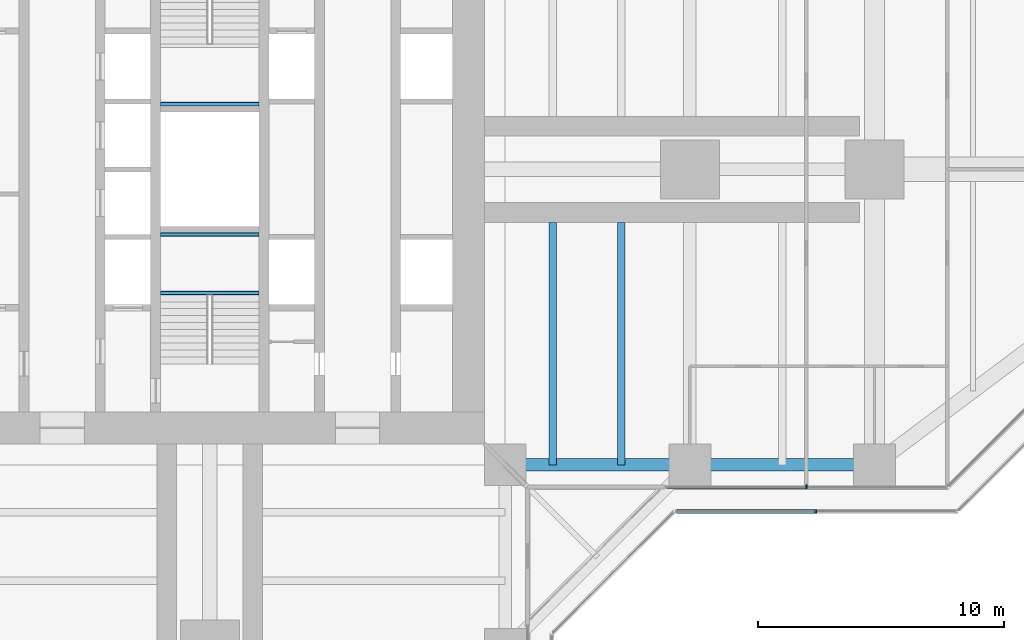
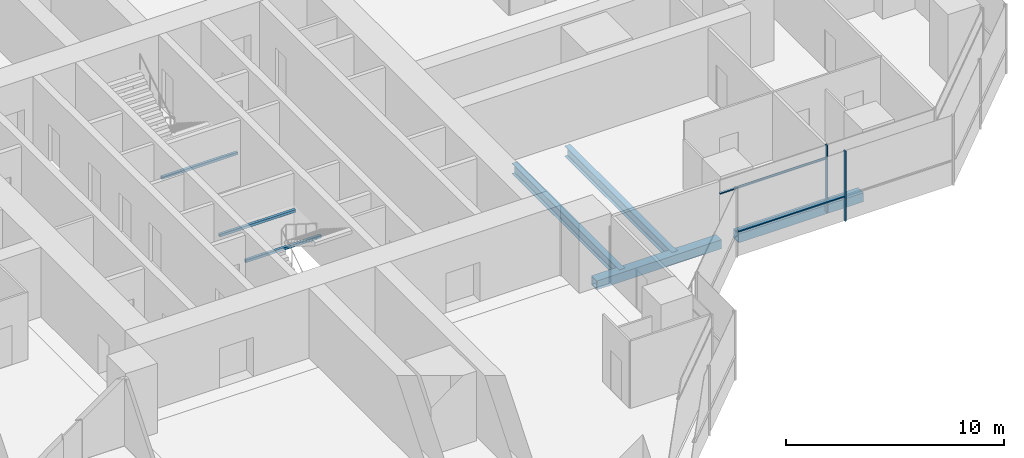
# One storey, part 5 of 20: 7 beams, 4 members, 2 elements without a shape of their own.
"""IFC4 building model written with IfcOpenShell, lengths in metres."""

from ifc_helpers import new_model, si_unit, direction, frame, origin, origin_2d, place, context, subcontext, project, spatial, rectangle, hollow_rectangle, i_section, extrude, material, material_profile, profile_set, type_object, element, aggregate, save


model = new_model("IFC4")

# Units and contexts
model_context = context("Model", 3, precision=1e-05, world=origin(), true_north=direction((0.0, 1.0)))
body_context = subcontext(model_context, "Body", "Model", "MODEL_VIEW")
ifc_project = project(units=[si_unit("LENGTHUNIT", "METRE"), si_unit("AREAUNIT", "SQUARE_METRE"), si_unit("VOLUMEUNIT", "CUBIC_METRE"), si_unit("PLANEANGLEUNIT", "RADIAN"), si_unit("MASSUNIT", "GRAM", prefix="KILO")], contexts=[model_context])

# Site, building, storey
site_placement = place(None, origin())
site = spatial("IfcSite", under=ifc_project, at=site_placement, CompositionType="ELEMENT")
building_placement = place(site_placement, origin())
building = spatial("IfcBuilding", under=site, at=building_placement, Name="Mizan Broadcast Tower", CompositionType="ELEMENT")
storey_placement = place(building_placement, frame((0.0, 0.0, 135.89990234375)))
storey = spatial("IfcBuildingStorey", under=building, at=storey_placement, Name="L30", CompositionType="ELEMENT", Elevation=135.89990234375)

# Beams
ifc_material_1 = material(Name="Steel S355", Category="steel")
ifc_material_profile_1 = material_profile(ifc_material_1, hollow_rectangle(XDim=0.5, YDim=0.5, WallThickness=0.030029296875, at=origin_2d()), Name="BOX 500x500x30")
ifc_profile_set_1 = profile_set([ifc_material_profile_1], Name="Steel S355")
beam_type_1 = type_object("IfcBeamType", Name="EDGE BEAM BOX 500x500x30", PredefinedType="SPANDREL", material=ifc_profile_set_1)
for number, where, z_axis, x_axis, name in (
    (1, (12.449951171875, -12.0, -0.3798828125), (1.0, 0.0, 0.0), (0.0, 1.0, 0.0), "Edge beam BOX 500x500x30 L30 east arm"),
    (2, (19.949951171875, -12.0, -0.3798828125), (1.0, 0.0, 0.0), (0.0, 1.0, 0.0), "Edge beam BOX 500x500x30 L30 east arm"),
):
    element("IfcBeam", number, at=place(storey_placement, frame(where, z_axis=z_axis, x_axis=x_axis)), inside=storey, type_object=beam_type_1, Name=name, PredefinedType="SPANDREL", context=body_context, shape_type="SweptSolid", body=[
        extrude(hollow_rectangle(XDim=0.5, YDim=0.5, WallThickness=0.030029296875, at=origin_2d()), origin(), (0.0, 0.0, 1.0), 6.60009765625),
    ])

# Curtain wall, members
ifc_material_2 = material(Name="Aluminium framed glazing", Category="aluminium")
curtain_wall_type_1 = type_object("IfcCurtainWallType", Name="INNER SKIN MID ZONE", PredefinedType="USERDEFINED", material=ifc_material_2)
curtain_wall_1_placement = place(storey_placement, origin())
curtain_wall_1 = element("IfcCurtainWall", 3, at=curtain_wall_1_placement, inside=storey, type_object=curtain_wall_type_1, Name="Inner skin mid zone L30 E side", ObjectType="INNER SKIN MID ZONE", PredefinedType="USERDEFINED")
ifc_material_3 = material(Name="Aluminium, pale anodised", Category="aluminium")
ifc_material_profile_2 = material_profile(ifc_material_3, rectangle(XDim=0.159912109375, YDim=0.06005859375, at=origin_2d()), Name="MULLION 160x60")
ifc_profile_set_2 = profile_set([ifc_material_profile_2], Name="Aluminium, pale anodised")
member_type_1 = type_object("IfcMemberType", Name="INNER SKIN MULLION 60x160", PredefinedType="MULLION", material=ifc_profile_set_2)
member_1_placement = place(storey_placement, frame((24.229248046875, -12.89990234375, 0.0), z_axis=(0.0, 0.0, 1.0), x_axis=(0.0, 1.0, 0.0)))
member_1 = element("IfcMember", 4, at=member_1_placement, type_object=member_type_1, Name="Inner skin mid zone L30 E side mullion 2", PredefinedType="MULLION", context=body_context, shape_type="SweptSolid", body=[
    extrude(rectangle(XDim=0.159912109375, YDim=0.06005859375, at=origin_2d()), origin(), (0.0, 0.0, 1.0), 3.77001953125),
])
ifc_material_4 = material(Name="Aluminium, pale anodised", Category="aluminium")
ifc_material_profile_3 = material_profile(ifc_material_4, rectangle(XDim=0.1201171875, YDim=0.06005859375, at=origin_2d()), Name="TRANSOM 120x60")
ifc_profile_set_3 = profile_set([ifc_material_profile_3], Name="Aluminium, pale anodised")
member_type_2 = type_object("IfcMemberType", Name="INNER SKIN TRANSOM 60x120", PredefinedType="USERDEFINED", material=ifc_profile_set_3)
member_2_placement = place(storey_placement, frame((18.56005859375, -12.89990234375, 3.030029296875), z_axis=(1.0, 0.0, 0.0), x_axis=(0.0, 1.0, 0.0)))
member_2 = element("IfcMember", 5, at=member_2_placement, type_object=member_type_2, Name="Inner skin mid zone L30 E side transom 1.1", ObjectType="TRANSOM", PredefinedType="USERDEFINED", context=body_context, shape_type="SweptSolid", body=[
    extrude(rectangle(XDim=0.1201171875, YDim=0.06005859375, at=origin_2d()), origin(), (0.0, 0.0, 1.0), 5.63916015625),
])
aggregate(curtain_wall_1, [member_1, member_2])

# Beams
ifc_material_5 = material(Name="Steel S355", Category="steel")
ifc_material_profile_4 = material_profile(ifc_material_5, hollow_rectangle(XDim=0.14990234375, YDim=0.14990234375, WallThickness=0.008056640625, InnerFilletRadius=0.008056640625, OuterFilletRadius=0.011962890625, at=origin_2d()), Name="SHS 150x150x8")
ifc_profile_set_4 = profile_set([ifc_material_profile_4], Name="Steel S355")
beam_type_2 = type_object("IfcBeamType", Name="LANDING TRIMMER SHS 150x150x8", PredefinedType="BEAM", material=ifc_profile_set_4)
for number, where, z_axis, x_axis, name in (
    (6, (-2.0, -5.02490234375, 1.675048828125), (1.0, 0.0, 0.0), (0.0, 1.0, 0.0), "Stair A landing trimmer L30"),
    (7, (-2.0, -2.64990234375, 1.675048828125), (1.0, 0.0, 0.0), (0.0, 1.0, 0.0), "Stair A landing trimmer L30"),
    (8, (2.0, 2.64990234375, 1.675048828125), (-1.0, 0.0, 0.0), (0.0, -1.0, 0.0), "Stair B landing trimmer L30"),
):
    element("IfcBeam", number, at=place(storey_placement, frame(where, z_axis=z_axis, x_axis=x_axis)), inside=storey, type_object=beam_type_2, Name=name, PredefinedType="BEAM", context=body_context, shape_type="SweptSolid", body=[
        extrude(hollow_rectangle(XDim=0.14990234375, YDim=0.14990234375, WallThickness=0.008056640625, InnerFilletRadius=0.008056640625, OuterFilletRadius=0.011962890625, at=origin_2d()), origin(), (0.0, 0.0, 1.0), 4.0),
    ])

# Curtain wall, members
ifc_material_6 = material(Name="Aluminium framed glazing", Category="aluminium")
curtain_wall_type_2 = type_object("IfcCurtainWallType", Name="OUTER SKIN", PredefinedType="USERDEFINED", material=ifc_material_6)
curtain_wall_2_placement = place(storey_placement, origin())
curtain_wall_2 = element("IfcCurtainWall", 9, at=curtain_wall_2_placement, inside=storey, type_object=curtain_wall_type_2, Name="Outer skin L30 E side", ObjectType="OUTER SKIN", PredefinedType="USERDEFINED")
ifc_material_7 = material(Name="Aluminium, pale anodised", Category="aluminium")
ifc_material_profile_5 = material_profile(ifc_material_7, rectangle(XDim=0.159912109375, YDim=0.080078125, at=origin_2d()), Name="MULLION 160x80")
ifc_profile_set_5 = profile_set([ifc_material_profile_5], Name="Aluminium, pale anodised")
member_type_3 = type_object("IfcMemberType", Name="OUTER SKIN MULLION 80x160", PredefinedType="MULLION", material=ifc_profile_set_5)
member_3_placement = place(storey_placement, frame((24.622802734375, -13.89990234375, 0.0), z_axis=(0.0, 0.0, 1.0), x_axis=(0.0, 1.0, 0.0)))
member_3 = element("IfcMember", 10, at=member_3_placement, type_object=member_type_3, Name="Outer skin L30 E side mullion 2", PredefinedType="MULLION", context=body_context, shape_type="SweptSolid", body=[
    extrude(rectangle(XDim=0.159912109375, YDim=0.080078125, at=origin_2d()), origin(), (0.0, 0.0, 1.0), 3.900146484375),
])
ifc_material_8 = material(Name="Aluminium, pale anodised", Category="aluminium")
ifc_material_profile_6 = material_profile(ifc_material_8, rectangle(XDim=0.159912109375, YDim=0.06005859375, at=origin_2d()), Name="TRANSOM 160x60")
ifc_profile_set_6 = profile_set([ifc_material_profile_6], Name="Aluminium, pale anodised")
member_type_4 = type_object("IfcMemberType", Name="OUTER SKIN TRANSOM 60x160", PredefinedType="USERDEFINED", material=ifc_profile_set_6)
member_4_placement = place(storey_placement, frame((18.952880859375, -13.89990234375, 1.400146484375), z_axis=(1.0, 0.0, 0.0), x_axis=(0.0, 1.0, 0.0)))
member_4 = element("IfcMember", 11, at=member_4_placement, type_object=member_type_4, Name="Outer skin L30 E side transom 1.1", ObjectType="TRANSOM", PredefinedType="USERDEFINED", context=body_context, shape_type="SweptSolid", body=[
    extrude(rectangle(XDim=0.159912109375, YDim=0.06005859375, at=origin_2d()), origin(), (0.0, 0.0, 1.0), 5.6298828125),
])
aggregate(curtain_wall_2, [member_3, member_4])

# Beams
ifc_material_9 = material(Name="Steel S355", Category="steel")
ifc_material_profile_7 = material_profile(ifc_material_9, i_section(OverallWidth=0.300048828125, OverallDepth=0.590087890625, WebThickness=0.012939453125, FlangeThickness=0.02490234375, FilletRadius=0.027099609375, at=origin_2d()), Name="HEA 600")
ifc_profile_set_7 = profile_set([ifc_material_profile_7], Name="Steel S355")
beam_type_3 = type_object("IfcBeamType", Name="SECONDARY BEAM HEA 600", PredefinedType="JOIST", material=ifc_profile_set_7)
for number, where, z_axis, x_axis, name in (
    (12, (13.933349609375, -12.0, -0.4248046875), (0.0, 1.0, 0.0), (-1.0, 0.0, 0.0), "Secondary beam HEA 600 L30 east arm"),
    (13, (16.716552734375, -12.0, -0.4248046875), (0.0, 1.0, 0.0), (-1.0, 0.0, 0.0), "Secondary beam HEA 600 L30 east arm"),
):
    element("IfcBeam", number, at=place(storey_placement, frame(where, z_axis=z_axis, x_axis=x_axis)), inside=storey, type_object=beam_type_3, Name=name, PredefinedType="JOIST", context=body_context, shape_type="SweptSolid", body=[
        extrude(i_section(OverallWidth=0.300048828125, OverallDepth=0.590087890625, WebThickness=0.012939453125, FlangeThickness=0.02490234375, FilletRadius=0.027099609375, at=origin_2d()), origin(), (0.0, 0.0, 1.0), 9.85009765625),
    ])

save(model, "model.ifc")
